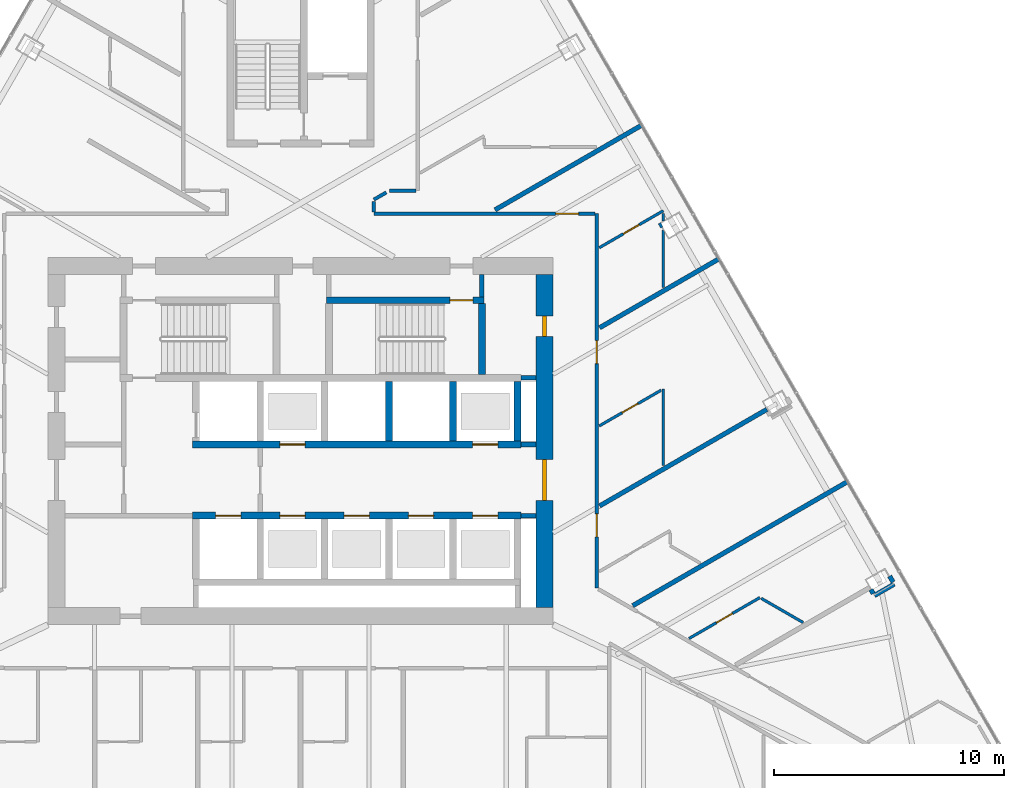
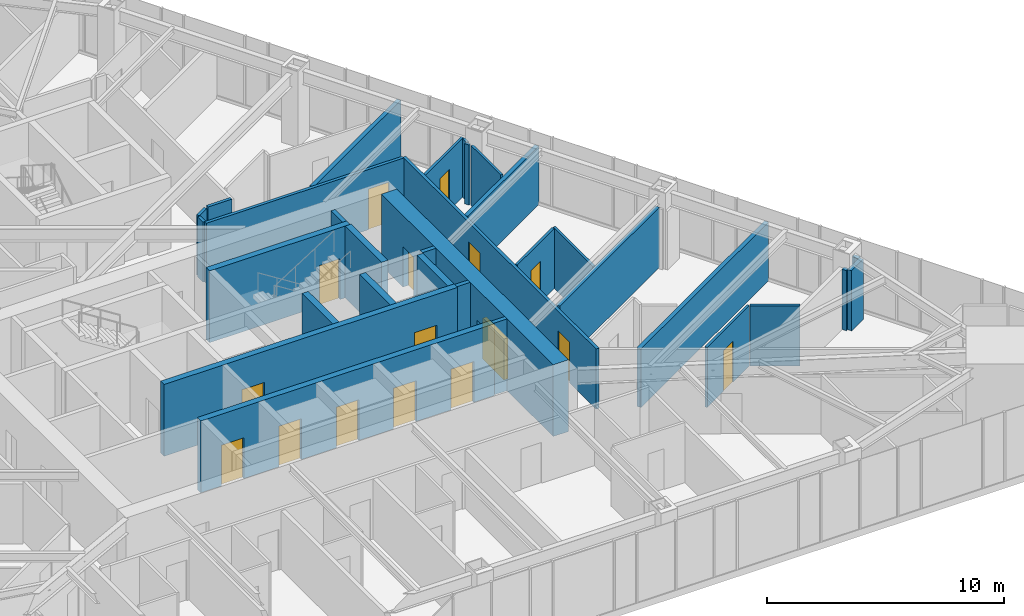
# One storey, part 22 of 26: 32 walls, 16 doors, 16 openings.
"""IFC4 building model written with IfcOpenShell, lengths in metres."""

from ifc_helpers import new_model, si_unit, direction, frame, frame_2d, origin, place, context, subcontext, project, spatial, rectangle, extrude, material, layer, layer_set, type_object, element, fill, save


model = new_model("IFC4")

# Units and contexts
model_context = context("Model", 3, precision=1e-05, world=origin(), true_north=direction((0.0, 1.0)))
body_context = subcontext(model_context, "Body", "Model", "MODEL_VIEW")
ifc_project = project(units=[si_unit("LENGTHUNIT", "METRE"), si_unit("AREAUNIT", "SQUARE_METRE"), si_unit("VOLUMEUNIT", "CUBIC_METRE"), si_unit("PLANEANGLEUNIT", "RADIAN"), si_unit("MASSUNIT", "GRAM", prefix="KILO")], contexts=[model_context])

# Site, building, storey
site_placement = place(None, origin())
site = spatial("IfcSite", under=ifc_project, at=site_placement, CompositionType="ELEMENT")
building_placement = place(site_placement, origin())
building = spatial("IfcBuilding", under=site, at=building_placement, Name="Firuza Gate Tower and Library", CompositionType="ELEMENT")
storey_placement = place(building_placement, frame((0.0, 0.0, 175.300048828125)))
storey = spatial("IfcBuildingStorey", under=building, at=storey_placement, Name="L40", CompositionType="ELEMENT", Elevation=175.300048828125)

# Walls
ifc_material_1 = material(Name="Plasterboard on steel studs", Category="steel")
ifc_layer_1 = layer(ifc_material_1, 0.199951171875)
ifc_layer_set_1 = layer_set([ifc_layer_1], Name="Core partition 200 EI 120")
wall_type_1 = type_object("IfcWallType", Name="Core partition 200 EI 120", PredefinedType="PARTITIONING", material=ifc_layer_set_1)
for number, where, z_axis, x_axis, name in (
    (1, (84.60009765625, 71.75, 0.0), (0.0, 0.0, 1.0), (1.0, 0.0, 0.0), "Core partition L40 2"),
    (2, (84.60009765625, 74.85009765625, 0.0), (0.0, 0.0, 1.0), (1.0, 0.0, 0.0), "Core partition L40 4"),
    (3, (84.60009765625, 77.75, 0.0), (0.0, 0.0, 1.0), (1.0, 0.0, 0.0), "Core partition L40 5"),
):
    element("IfcWall", number, at=place(storey_placement, frame(where, z_axis=z_axis, x_axis=x_axis)), inside=storey, type_object=wall_type_1, Name=name, PredefinedType="PARTITIONING", context=body_context, shape_type="SweptSolid", body=[
        extrude(rectangle(XDim=0.64990234375, YDim=0.199951171875, at=frame_2d((0.324951171875, 0.0))), origin(), (0.0, 0.0, 1.0), 3.699951171875),
    ])
ifc_material_2 = material(Name="Plasterboard on steel studs", Category="steel")
ifc_layer_2 = layer(ifc_material_2, 0.199951171875)
ifc_layer_set_2 = layer_set([ifc_layer_2], Name="Core partition 200 EI 60")
wall_type_2 = type_object("IfcWallType", Name="Core partition 200 EI 60", PredefinedType="PARTITIONING", material=ifc_layer_set_2)
wall_1_placement = place(storey_placement, frame((82.89990234375, 81.280029296875, 0.0), z_axis=(0.0, 0.0, 1.0), x_axis=(0.0, 1.0, 0.0)))
element("IfcWall", 4, at=wall_1_placement, inside=storey, type_object=wall_type_2, Name="Core partition L40 13", PredefinedType="PARTITIONING", context=body_context, shape_type="SweptSolid", body=[
    extrude(rectangle(XDim=0.969970703125, YDim=0.199951171875, at=frame_2d((0.48486328125, 0.0))), origin(), (0.0, 0.0, 1.0), 3.699951171875),
])

# Wall, openings, doors
ifc_material_3 = material(Name="Concrete C80/95", Category="concrete")
ifc_layer_3 = layer(ifc_material_3, 0.300048828125)
ifc_layer_set_3 = layer_set([ifc_layer_3], Name="Core wall 300 C80/95")
wall_type_3 = type_object("IfcWallType", Name="Core wall 300 C80/95", PredefinedType="SHEAR", material=ifc_layer_set_3)
wall_2_placement = place(storey_placement, frame((70.300048828125, 71.75, 0.0), z_axis=(0.0, 0.0, 1.0), x_axis=(1.0, 0.0, 0.0)))
wall_2 = element("IfcWall", 5, at=wall_2_placement, inside=storey, type_object=wall_type_3, Name="Core wall L40 6", PredefinedType="SHEAR", context=body_context, shape_type="SweptSolid", body=[
    extrude(rectangle(XDim=14.300048828125, YDim=0.300048828125, at=frame_2d((7.14990234375, 0.0))), origin(), (0.0, 0.0, 1.0), 3.699951171875),
])
opening_1_placement = place(wall_2_placement, frame((1.0, 0.0, 0.0)))
opening_1 = element("IfcOpeningElement", 6, at=opening_1_placement, cuts=wall_2, Name="Opening LD-FF1-L40", PredefinedType="OPENING", context=body_context, shape_type="SweptSolid", body=[
    extrude(rectangle(XDim=1.10009765625, YDim=2.10009765625, at=frame_2d((0.550048828125, 1.050048828125))), frame((0.0, 0.16015625, 0.0), z_axis=(0.0, -1.0, 0.0), x_axis=(1.0, 0.0, 0.0)), (0.0, 0.0, 1.0), 0.320068359375),
])
opening_2_placement = place(wall_2_placement, frame((3.800048828125, 0.0, 0.0)))
opening_2 = element("IfcOpeningElement", 7, at=opening_2_placement, cuts=wall_2, Name="Opening LD-MR1-L40", PredefinedType="OPENING", context=body_context, shape_type="SweptSolid", body=[
    extrude(rectangle(XDim=1.10009765625, YDim=2.10009765625, at=frame_2d((0.550048828125, 1.050048828125))), frame((0.0, 0.16015625, 0.0), z_axis=(0.0, -1.0, 0.0), x_axis=(1.0, 0.0, 0.0)), (0.0, 0.0, 1.0), 0.320068359375),
])
opening_3_placement = place(wall_2_placement, frame((6.60009765625, 0.0, 0.0)))
opening_3 = element("IfcOpeningElement", 8, at=opening_3_placement, cuts=wall_2, Name="Opening LD-MR2-L40", PredefinedType="OPENING", context=body_context, shape_type="SweptSolid", body=[
    extrude(rectangle(XDim=1.10009765625, YDim=2.10009765625, at=frame_2d((0.550048828125, 1.050048828125))), frame((0.0, 0.16015625, 0.0), z_axis=(0.0, -1.0, 0.0), x_axis=(1.0, 0.0, 0.0)), (0.0, 0.0, 1.0), 0.320068359375),
])
opening_4_placement = place(wall_2_placement, frame((9.39990234375, 0.0, 0.0)))
opening_4 = element("IfcOpeningElement", 9, at=opening_4_placement, cuts=wall_2, Name="Opening LD-MR3-L40", PredefinedType="OPENING", context=body_context, shape_type="SweptSolid", body=[
    extrude(rectangle(XDim=1.10009765625, YDim=2.10009765625, at=frame_2d((0.550048828125, 1.050048828125))), frame((0.0, 0.16015625, 0.0), z_axis=(0.0, -1.0, 0.0), x_axis=(1.0, 0.0, 0.0)), (0.0, 0.0, 1.0), 0.320068359375),
])
opening_5_placement = place(wall_2_placement, frame((12.199951171875, 0.0, 0.0)))
opening_5 = element("IfcOpeningElement", 10, at=opening_5_placement, cuts=wall_2, Name="Opening LD-MR5-L40", PredefinedType="OPENING", context=body_context, shape_type="SweptSolid", body=[
    extrude(rectangle(XDim=1.10009765625, YDim=2.10009765625, at=frame_2d((0.550048828125, 1.050048828125))), frame((0.0, 0.16015625, 0.0), z_axis=(0.0, -1.0, 0.0), x_axis=(1.0, 0.0, 0.0)), (0.0, 0.0, 1.0), 0.320068359375),
])
ifc_material_4 = material(Name="Stainless steel", Category="steel")
door_type_1 = type_object("IfcDoorType", Name="Lift landing door 1100x2100", OperationType="DOUBLE_DOOR_SLIDING", PredefinedType="DOOR", material=ifc_material_4)
door_1_placement = place(opening_1_placement, origin())
door_1 = element("IfcDoor", 11, at=door_1_placement, inside=storey, type_object=door_type_1, Name="Landing door FF1 L40", OperationType="DOUBLE_DOOR_SLIDING", OverallHeight=2.10009765625, OverallWidth=1.10009765625, PredefinedType="DOOR", context=body_context, shape_type="SweptSolid", body=[
    extrude(rectangle(XDim=1.10009765625, YDim=2.10009765625, at=frame_2d((0.550048828125, 1.050048828125))), frame((0.0, 0.02490234375, 0.0), z_axis=(0.0, -1.0, 0.0), x_axis=(1.0, 0.0, 0.0)), (0.0, 0.0, 1.0), 0.050048828125),
])
fill(opening_1, door_1)
door_2_placement = place(opening_2_placement, origin())
door_2 = element("IfcDoor", 12, at=door_2_placement, inside=storey, type_object=door_type_1, Name="Landing door MR1 L40", OperationType="DOUBLE_DOOR_SLIDING", OverallHeight=2.10009765625, OverallWidth=1.10009765625, PredefinedType="DOOR", context=body_context, shape_type="SweptSolid", body=[
    extrude(rectangle(XDim=1.10009765625, YDim=2.10009765625, at=frame_2d((0.550048828125, 1.050048828125))), frame((0.0, 0.02490234375, 0.0), z_axis=(0.0, -1.0, 0.0), x_axis=(1.0, 0.0, 0.0)), (0.0, 0.0, 1.0), 0.050048828125),
])
fill(opening_2, door_2)
door_3_placement = place(opening_3_placement, origin())
door_3 = element("IfcDoor", 13, at=door_3_placement, inside=storey, type_object=door_type_1, Name="Landing door MR2 L40", OperationType="DOUBLE_DOOR_SLIDING", OverallHeight=2.10009765625, OverallWidth=1.10009765625, PredefinedType="DOOR", context=body_context, shape_type="SweptSolid", body=[
    extrude(rectangle(XDim=1.10009765625, YDim=2.10009765625, at=frame_2d((0.550048828125, 1.050048828125))), frame((0.0, 0.02490234375, 0.0), z_axis=(0.0, -1.0, 0.0), x_axis=(1.0, 0.0, 0.0)), (0.0, 0.0, 1.0), 0.050048828125),
])
fill(opening_3, door_3)
door_4_placement = place(opening_4_placement, origin())
door_4 = element("IfcDoor", 14, at=door_4_placement, inside=storey, type_object=door_type_1, Name="Landing door MR3 L40", OperationType="DOUBLE_DOOR_SLIDING", OverallHeight=2.10009765625, OverallWidth=1.10009765625, PredefinedType="DOOR", context=body_context, shape_type="SweptSolid", body=[
    extrude(rectangle(XDim=1.10009765625, YDim=2.10009765625, at=frame_2d((0.550048828125, 1.050048828125))), frame((0.0, 0.02490234375, 0.0), z_axis=(0.0, -1.0, 0.0), x_axis=(1.0, 0.0, 0.0)), (0.0, 0.0, 1.0), 0.050048828125),
])
fill(opening_4, door_4)
door_5_placement = place(opening_5_placement, origin())
door_5 = element("IfcDoor", 15, at=door_5_placement, inside=storey, type_object=door_type_1, Name="Landing door MR5 L40", OperationType="DOUBLE_DOOR_SLIDING", OverallHeight=2.10009765625, OverallWidth=1.10009765625, PredefinedType="DOOR", context=body_context, shape_type="SweptSolid", body=[
    extrude(rectangle(XDim=1.10009765625, YDim=2.10009765625, at=frame_2d((0.550048828125, 1.050048828125))), frame((0.0, 0.02490234375, 0.0), z_axis=(0.0, -1.0, 0.0), x_axis=(1.0, 0.0, 0.0)), (0.0, 0.0, 1.0), 0.050048828125),
])
fill(opening_5, door_5)

wall_3_placement = place(storey_placement, frame((70.300048828125, 74.85009765625, 0.0), z_axis=(0.0, 0.0, 1.0), x_axis=(1.0, 0.0, 0.0)))
wall_3 = element("IfcWall", 16, at=wall_3_placement, inside=storey, type_object=wall_type_3, Name="Core wall L40 7", PredefinedType="SHEAR", context=body_context, shape_type="SweptSolid", body=[
    extrude(rectangle(XDim=14.300048828125, YDim=0.300048828125, at=frame_2d((7.14990234375, 0.0))), origin(), (0.0, 0.0, 1.0), 3.699951171875),
])
opening_6_placement = place(wall_3_placement, frame((3.800048828125, 0.0, 0.0)))
opening_6 = element("IfcOpeningElement", 17, at=opening_6_placement, cuts=wall_3, Name="Opening LD-MR4-L40", PredefinedType="OPENING", context=body_context, shape_type="SweptSolid", body=[
    extrude(rectangle(XDim=1.10009765625, YDim=2.10009765625, at=frame_2d((0.550048828125, 1.050048828125))), frame((0.0, 0.16015625, 0.0), z_axis=(0.0, -1.0, 0.0), x_axis=(1.0, 0.0, 0.0)), (0.0, 0.0, 1.0), 0.320068359375),
])
opening_7_placement = place(wall_3_placement, frame((12.199951171875, 0.0, 0.0)))
opening_7 = element("IfcOpeningElement", 18, at=opening_7_placement, cuts=wall_3, Name="Opening LD-MR6-L40", PredefinedType="OPENING", context=body_context, shape_type="SweptSolid", body=[
    extrude(rectangle(XDim=1.10009765625, YDim=2.10009765625, at=frame_2d((0.550048828125, 1.050048828125))), frame((0.0, 0.16015625, 0.0), z_axis=(0.0, -1.0, 0.0), x_axis=(1.0, 0.0, 0.0)), (0.0, 0.0, 1.0), 0.320068359375),
])
door_6_placement = place(opening_6_placement, origin())
door_6 = element("IfcDoor", 19, at=door_6_placement, inside=storey, type_object=door_type_1, Name="Landing door MR4 L40", OperationType="DOUBLE_DOOR_SLIDING", OverallHeight=2.10009765625, OverallWidth=1.10009765625, PredefinedType="DOOR", context=body_context, shape_type="SweptSolid", body=[
    extrude(rectangle(XDim=1.10009765625, YDim=2.10009765625, at=frame_2d((0.550048828125, 1.050048828125))), frame((0.0, 0.02490234375, 0.0), z_axis=(0.0, -1.0, 0.0), x_axis=(1.0, 0.0, 0.0)), (0.0, 0.0, 1.0), 0.050048828125),
])
fill(opening_6, door_6)
door_7_placement = place(opening_7_placement, origin())
door_7 = element("IfcDoor", 20, at=door_7_placement, inside=storey, type_object=door_type_1, Name="Landing door MR6 L40", OperationType="DOUBLE_DOOR_SLIDING", OverallHeight=2.10009765625, OverallWidth=1.10009765625, PredefinedType="DOOR", context=body_context, shape_type="SweptSolid", body=[
    extrude(rectangle(XDim=1.10009765625, YDim=2.10009765625, at=frame_2d((0.550048828125, 1.050048828125))), frame((0.0, 0.02490234375, 0.0), z_axis=(0.0, -1.0, 0.0), x_axis=(1.0, 0.0, 0.0)), (0.0, 0.0, 1.0), 0.050048828125),
])
fill(opening_7, door_7)

# Walls
for number, where, z_axis, x_axis, name in (
    (21, (78.85009765625, 75.0, 0.0), (0.0, 0.0, 1.0), (0.0, 1.0, 0.0), "Core wall L40 15"),
    (22, (81.64990234375, 75.0, 0.0), (0.0, 0.0, 1.0), (0.0, 1.0, 0.0), "Core wall L40 17"),
    (23, (84.449951171875, 75.0, 0.0), (0.0, 0.0, 1.0), (0.0, 1.0, 0.0), "Core wall L40 19"),
):
    element("IfcWall", number, at=place(storey_placement, frame(where, z_axis=z_axis, x_axis=x_axis)), inside=storey, type_object=wall_type_3, Name=name, PredefinedType="SHEAR", context=body_context, shape_type="SweptSolid", body=[
        extrude(rectangle(XDim=2.60009765625, YDim=0.300048828125, at=frame_2d((1.300048828125, 0.0))), origin(), (0.0, 0.0, 1.0), 3.699951171875),
    ])

# Wall, opening, door
wall_4_placement = place(storey_placement, frame((76.139892578125, 81.1298828125, 0.0), z_axis=(0.0, 0.0, 1.0), x_axis=(1.0, 0.0, 0.0)))
wall_4 = element("IfcWall", 24, at=wall_4_placement, inside=storey, type_object=wall_type_3, Name="Core wall L40 22", PredefinedType="SHEAR", context=body_context, shape_type="SweptSolid", body=[
    extrude(rectangle(XDim=6.860107421875, YDim=0.300048828125, at=frame_2d((3.43017578125, 0.0))), origin(), (0.0, 0.0, 1.0), 3.699951171875),
])
opening_8_placement = place(wall_4_placement, frame((5.364990234375, 0.0, 0.0)))
opening_8 = element("IfcOpeningElement", 25, at=opening_8_placement, cuts=wall_4, Name="Opening L40-K13", PredefinedType="OPENING", context=body_context, shape_type="SweptSolid", body=[
    extrude(rectangle(XDim=1.0, YDim=2.10009765625, at=frame_2d((0.5, 1.050048828125))), frame((0.0, 0.16015625, 0.0), z_axis=(0.0, -1.0, 0.0), x_axis=(1.0, 0.0, 0.0)), (0.0, 0.0, 1.0), 0.320068359375),
])
ifc_material_5 = material(Name="Steel", Category="steel")
door_type_2 = type_object("IfcDoorType", Name="Fire door 1000x2100 FD90", OperationType="NOTDEFINED", PredefinedType="DOOR", material=ifc_material_5)
door_8_placement = place(opening_8_placement, origin())
door_8 = element("IfcDoor", 26, at=door_8_placement, inside=storey, type_object=door_type_2, Name="Door L40-K13", OperationType="SINGLE_SWING_RIGHT", OverallHeight=2.10009765625, OverallWidth=1.0, PredefinedType="DOOR", context=body_context, shape_type="SweptSolid", body=[
    extrude(rectangle(XDim=1.0, YDim=2.10009765625, at=frame_2d((0.5, 1.050048828125))), frame((0.0, 0.02490234375, 0.0), z_axis=(0.0, -1.0, 0.0), x_axis=(1.0, 0.0, 0.0)), (0.0, 0.0, 1.0), 0.050048828125),
])
fill(opening_8, door_8)

# Wall
wall_5_placement = place(storey_placement, frame((82.89990234375, 77.89990234375, 0.0), z_axis=(0.0, 0.0, 1.0), x_axis=(0.0, 1.0, 0.0)))
element("IfcWall", 27, at=wall_5_placement, inside=storey, type_object=wall_type_3, Name="Core wall L40 26", PredefinedType="SHEAR", context=body_context, shape_type="SweptSolid", body=[
    extrude(rectangle(XDim=3.080078125, YDim=0.300048828125, at=frame_2d((1.5400390625, 0.0))), origin(), (0.0, 0.0, 1.0), 3.699951171875),
])

# Wall, openings, doors
ifc_material_6 = material(Name="Concrete C80/95", Category="concrete")
ifc_layer_4 = layer(ifc_material_6, 0.75)
ifc_layer_set_4 = layer_set([ifc_layer_4], Name="Core wall 750 C80/95")
wall_type_4 = type_object("IfcWallType", Name="Core wall 750 C80/95", PredefinedType="SHEAR", material=ifc_layer_set_4)
wall_6_placement = place(storey_placement, frame((85.625, 67.75, 0.0), z_axis=(0.0, 0.0, 1.0), x_axis=(0.0, 1.0, 0.0)))
wall_6 = element("IfcWall", 28, at=wall_6_placement, inside=storey, type_object=wall_type_4, Name="Core wall L40 4", PredefinedType="SHEAR", context=body_context, shape_type="SweptSolid", body=[
    extrude(rectangle(XDim=14.5, YDim=0.75, at=frame_2d((7.25, 0.0))), origin(), (0.0, 0.0, 1.0), 3.699951171875),
])
opening_9_placement = place(wall_6_placement, frame((4.64990234375, 0.0, 0.0)))
opening_9 = element("IfcOpeningElement", 29, at=opening_9_placement, cuts=wall_6, Name="Opening L40-K21", PredefinedType="OPENING", context=body_context, shape_type="SweptSolid", body=[
    extrude(rectangle(XDim=1.800048828125, YDim=2.10009765625, at=frame_2d((0.89990234375, 1.050048828125))), frame((0.0, 0.385009765625, 0.0), z_axis=(0.0, -1.0, 0.0), x_axis=(1.0, 0.0, 0.0)), (0.0, 0.0, 1.0), 0.77001953125),
])
opening_10_placement = place(wall_6_placement, frame((11.800048828125, 0.0, 0.0)))
opening_10 = element("IfcOpeningElement", 30, at=opening_10_placement, cuts=wall_6, Name="Opening L40-K26", PredefinedType="OPENING", context=body_context, shape_type="SweptSolid", body=[
    extrude(rectangle(XDim=0.89990234375, YDim=2.10009765625, at=frame_2d((0.449951171875, 1.050048828125))), frame((0.0, 0.385009765625, 0.0), z_axis=(0.0, -1.0, 0.0), x_axis=(1.0, 0.0, 0.0)), (0.0, 0.0, 1.0), 0.77001953125),
])
ifc_material_7 = material(Name="Steel", Category="steel")
door_type_3 = type_object("IfcDoorType", Name="Fire door 1800x2100 FD30S", OperationType="NOTDEFINED", PredefinedType="DOOR", material=ifc_material_7)
door_9_placement = place(opening_9_placement, origin())
door_9 = element("IfcDoor", 31, at=door_9_placement, inside=storey, type_object=door_type_3, Name="Door L40-K21", OperationType="SINGLE_SWING_RIGHT", OverallHeight=2.10009765625, OverallWidth=1.800048828125, PredefinedType="DOOR", context=body_context, shape_type="SweptSolid", body=[
    extrude(rectangle(XDim=1.800048828125, YDim=2.10009765625, at=frame_2d((0.89990234375, 1.050048828125))), frame((0.0, 0.094970703125, 0.0), z_axis=(0.0, -1.0, 0.0), x_axis=(1.0, 0.0, 0.0)), (0.0, 0.0, 1.0), 0.18994140625),
])
fill(opening_9, door_9)
ifc_material_8 = material(Name="Steel", Category="steel")
door_type_4 = type_object("IfcDoorType", Name="Fire door 900x2100 FD30S", OperationType="NOTDEFINED", PredefinedType="DOOR", material=ifc_material_8)
door_10_placement = place(opening_10_placement, origin())
door_10 = element("IfcDoor", 32, at=door_10_placement, inside=storey, type_object=door_type_4, Name="Door L40-K26", OperationType="SINGLE_SWING_LEFT", OverallHeight=2.10009765625, OverallWidth=0.89990234375, PredefinedType="DOOR", context=body_context, shape_type="SweptSolid", body=[
    extrude(rectangle(XDim=0.89990234375, YDim=2.10009765625, at=frame_2d((0.449951171875, 1.050048828125))), frame((0.0, 0.094970703125, 0.0), z_axis=(0.0, -1.0, 0.0), x_axis=(1.0, 0.0, 0.0)), (0.0, 0.0, 1.0), 0.18994140625),
])
fill(opening_10, door_10)

# Wall, opening, door
ifc_material_9 = material(Name="Gypsum board partition")
ifc_layer_5 = layer(ifc_material_9, 0.14990234375)
ifc_layer_set_5 = layer_set([ifc_layer_5], Name="Corridor wall 150 double board on steel studs")
wall_type_5 = type_object("IfcWallType", Name="Corridor wall 150 double board on steel studs", PredefinedType="PARTITIONING", material=ifc_layer_set_5)
wall_7_placement = place(storey_placement, frame((78.199951171875, 84.89990234375, 0.0), z_axis=(0.0, 0.0, 1.0), x_axis=(1.0, 0.0, 0.0)))
wall_7 = element("IfcWall", 33, at=wall_7_placement, inside=storey, type_object=wall_type_5, Name="f:L40:w012", PredefinedType="PARTITIONING", context=body_context, shape_type="SweptSolid", body=[
    extrude(rectangle(XDim=9.62451171875, YDim=0.14990234375, at=frame_2d((4.812255859375, 0.0))), origin(), (0.0, 0.0, 1.0), 3.099853515625),
])
opening_11_placement = place(wall_7_placement, frame((7.908203125, 0.0, 0.0)))
opening_11 = element("IfcOpeningElement", 34, at=opening_11_placement, cuts=wall_7, Name="Opening L40-11", PredefinedType="OPENING", context=body_context, shape_type="SweptSolid", body=[
    extrude(rectangle(XDim=1.0, YDim=2.10009765625, at=frame_2d((0.5, 1.050048828125))), frame((0.0, 0.0849609375, 0.0), z_axis=(0.0, -1.0, 0.0), x_axis=(1.0, 0.0, 0.0)), (0.0, 0.0, 1.0), 0.169921875),
])
ifc_material_10 = material(Name="Steel door and timber leaf", Category="steel")
door_type_5 = type_object("IfcDoorType", Name="Fire door 1000 x 2100 steel frame, timber leaf", OperationType="NOTDEFINED", PredefinedType="DOOR", material=ifc_material_10)
door_11_placement = place(opening_11_placement, origin())
door_11 = element("IfcDoor", 35, at=door_11_placement, inside=storey, type_object=door_type_5, Name="f:L40:d011", OperationType="SINGLE_SWING_LEFT", OverallHeight=2.10009765625, OverallWidth=1.0, PredefinedType="DOOR", context=body_context, shape_type="SweptSolid", body=[
    extrude(rectangle(XDim=1.0, YDim=2.10009765625, at=frame_2d((0.5, 1.050048828125))), frame((0.0, 0.02490234375, 0.0), z_axis=(0.0, -1.0, 0.0), x_axis=(1.0, 0.0, 0.0)), (0.0, 0.0, 1.0), 0.050048828125),
])
fill(opening_11, door_11)

# Walls
wall_8_placement = place(storey_placement, frame((78.8681640625, 85.89990234375, 0.0), z_axis=(0.0, 0.0, 1.0), x_axis=(1.0, 0.0, 0.0)))
element("IfcWall", 36, at=wall_8_placement, inside=storey, type_object=wall_type_5, Name="f:L40:w014", PredefinedType="PARTITIONING", context=body_context, shape_type="SweptSolid", body=[
    extrude(rectangle(XDim=1.15673828125, YDim=0.14990234375, at=frame_2d((0.578369140625, 0.0))), origin(), (0.0, 0.0, 1.0), 3.099853515625),
])
wall_9_placement = place(storey_placement, frame((78.19970703125, 85.5146484375, 0.0), z_axis=(0.0, 0.0, 1.0), x_axis=(0.866035156036, 0.499983108224, 0.0)))
element("IfcWall", 37, at=wall_9_placement, inside=storey, type_object=wall_type_5, Name="f:L40:w039", PredefinedType="PARTITIONING", context=body_context, shape_type="SweptSolid", body=[
    extrude(rectangle(XDim=0.62158203125, YDim=0.14990234375, at=frame_2d((0.310791015625, 0.0))), origin(), (0.0, 0.0, 1.0), 3.099853515625),
])

# Wall, openings, doors
wall_10_placement = place(storey_placement, frame((87.89990234375, 84.8994140625, 0.0), z_axis=(0.0, 0.0, 1.0), x_axis=(0.0, -1.0, 0.0)))
wall_10 = element("IfcWall", 38, at=wall_10_placement, inside=storey, type_object=wall_type_5, Name="f:L40:w054", PredefinedType="PARTITIONING", context=body_context, shape_type="SweptSolid", body=[
    extrude(rectangle(XDim=16.30810546875, YDim=0.14990234375, at=frame_2d((8.154052734375, 0.0))), origin(), (0.0, 0.0, 1.0), 3.099853515625),
])
opening_12_placement = place(wall_10_placement, frame((5.526611328125, 0.0, 0.0)))
opening_12 = element("IfcOpeningElement", 39, at=opening_12_placement, cuts=wall_10, Name="Opening L40-31", PredefinedType="OPENING", context=body_context, shape_type="SweptSolid", body=[
    extrude(rectangle(XDim=1.0, YDim=2.10009765625, at=frame_2d((0.5, 1.050048828125))), frame((0.0, 0.0849609375, 0.0), z_axis=(0.0, -1.0, 0.0), x_axis=(1.0, 0.0, 0.0)), (0.0, 0.0, 1.0), 0.169921875),
])
opening_13_placement = place(wall_10_placement, frame((13.074462890625, 0.0, 0.0)))
opening_13 = element("IfcOpeningElement", 40, at=opening_13_placement, cuts=wall_10, Name="Opening L40-32", PredefinedType="OPENING", context=body_context, shape_type="SweptSolid", body=[
    extrude(rectangle(XDim=1.0, YDim=2.10009765625, at=frame_2d((0.5, 1.050048828125))), frame((0.0, 0.0849609375, 0.0), z_axis=(0.0, -1.0, 0.0), x_axis=(1.0, 0.0, 0.0)), (0.0, 0.0, 1.0), 0.169921875),
])
door_12_placement = place(opening_12_placement, origin())
door_12 = element("IfcDoor", 41, at=door_12_placement, inside=storey, type_object=door_type_5, Name="f:L40:d031", OperationType="SINGLE_SWING_RIGHT", OverallHeight=2.10009765625, OverallWidth=1.0, PredefinedType="DOOR", context=body_context, shape_type="SweptSolid", body=[
    extrude(rectangle(XDim=1.0, YDim=2.10009765625, at=frame_2d((0.5, 1.050048828125))), frame((0.0, 0.02490234375, 0.0), z_axis=(0.0, -1.0, 0.0), x_axis=(1.0, 0.0, 0.0)), (0.0, 0.0, 1.0), 0.050048828125),
])
fill(opening_12, door_12)
door_13_placement = place(opening_13_placement, origin())
door_13 = element("IfcDoor", 42, at=door_13_placement, inside=storey, type_object=door_type_5, Name="f:L40:d032", OperationType="SINGLE_SWING_RIGHT", OverallHeight=2.10009765625, OverallWidth=1.0, PredefinedType="DOOR", context=body_context, shape_type="SweptSolid", body=[
    extrude(rectangle(XDim=1.0, YDim=2.10009765625, at=frame_2d((0.5, 1.050048828125))), frame((0.0, 0.02490234375, 0.0), z_axis=(0.0, -1.0, 0.0), x_axis=(1.0, 0.0, 0.0)), (0.0, 0.0, 1.0), 0.050048828125),
])
fill(opening_13, door_13)

# Walls
wall_11_placement = place(storey_placement, frame((78.199951171875, 84.97509765625, 0.0), z_axis=(0.0, 0.0, 1.0), x_axis=(0.0, 1.0, 0.0)))
element("IfcWall", 43, at=wall_11_placement, inside=storey, type_object=wall_type_5, Name="f:L40:w062", PredefinedType="PARTITIONING", context=body_context, shape_type="SweptSolid", body=[
    extrude(rectangle(XDim=0.45263671875, YDim=0.14990234375, at=frame_2d((0.226318359375, 0.0))), origin(), (0.0, 0.0, 1.0), 3.099853515625),
])
ifc_material_11 = material(Name="Gypsum board partition")
ifc_layer_6 = layer(ifc_material_11, 0.199951171875)
ifc_layer_set_6 = layer_set([ifc_layer_6], Name="Demising wall 200 acoustic double stud")
wall_type_6 = type_object("IfcWallType", Name="Demising wall 200 acoustic double stud", PredefinedType="PARTITIONING", material=ifc_layer_set_6)
wall_12_placement = place(storey_placement, frame((99.992919921875, 68.27099609375, 0.0), z_axis=(0.0, 0.0, 1.0), x_axis=(0.86597798544, 0.50008212199, 0.0)))
element("IfcWall", 44, at=wall_12_placement, inside=storey, type_object=wall_type_6, Name="f:L40:w022", PredefinedType="PARTITIONING", context=body_context, shape_type="SweptSolid", body=[
    extrude(rectangle(XDim=0.998779296875, YDim=0.199951171875, at=frame_2d((0.49951171875, 0.0))), origin(), (0.0, 0.0, 1.0), 3.099853515625),
])
wall_13_placement = place(storey_placement, frame((89.469970703125, 67.83154296875, 0.0), z_axis=(0.0, 0.0, 1.0), x_axis=(0.866022468619, 0.50000508382, 0.0)))
element("IfcWall", 45, at=wall_13_placement, inside=storey, type_object=wall_type_6, Name="f:L40:w025", PredefinedType="PARTITIONING", context=body_context, shape_type="SweptSolid", body=[
    extrude(rectangle(XDim=10.79248046875, YDim=0.199951171875, at=frame_2d((5.396240234375, 0.0))), origin(), (0.0, 0.0, 1.0), 3.02197265625),
])
wall_14_placement = place(storey_placement, frame((88.02685546875, 72.1728515625, 0.0), z_axis=(0.0, 0.0, 1.0), x_axis=(0.866035743139, 0.499982091285, 0.0)))
element("IfcWall", 46, at=wall_14_placement, inside=storey, type_object=wall_type_6, Name="f:L40:w028", PredefinedType="PARTITIONING", context=body_context, shape_type="SweptSolid", body=[
    extrude(rectangle(XDim=8.410888671875, YDim=0.199951171875, at=frame_2d((4.20556640625, 0.0))), origin(), (0.0, 0.0, 1.0), 3.099853515625),
])
wall_15_placement = place(storey_placement, frame((88.027099609375, 79.93359375, 0.0), z_axis=(0.0, 0.0, 1.0), x_axis=(0.866030178321, 0.499991730169, 0.0)))
element("IfcWall", 47, at=wall_15_placement, inside=storey, type_object=wall_type_6, Name="f:L40:w032", PredefinedType="PARTITIONING", context=body_context, shape_type="SweptSolid", body=[
    extrude(rectangle(XDim=5.99072265625, YDim=0.199951171875, at=frame_2d((2.995361328125, 0.0))), origin(), (0.0, 0.0, 1.0), 3.02197265625),
])
wall_16_placement = place(storey_placement, frame((83.47119140625, 85.065185546875, 0.0), z_axis=(0.0, 0.0, 1.0), x_axis=(0.866022862013, 0.500004402451, 0.0)))
element("IfcWall", 48, at=wall_16_placement, inside=storey, type_object=wall_type_6, Name="f:L40:w038", PredefinedType="PARTITIONING", context=body_context, shape_type="SweptSolid", body=[
    extrude(rectangle(XDim=7.37060546875, YDim=0.199951171875, at=frame_2d((3.685302734375, 0.0))), origin(), (0.0, 0.0, 1.0), 3.02197265625),
])
wall_17_placement = place(storey_placement, frame((100.807861328125, 68.857666015625, 0.0), z_axis=(0.0, 0.0, 1.0), x_axis=(-0.49965177357, 0.866226359082, 0.0)))
element("IfcWall", 49, at=wall_17_placement, inside=storey, type_object=wall_type_6, Name="f:L40:w087", PredefinedType="PARTITIONING", context=body_context, shape_type="SweptSolid", body=[
    extrude(rectangle(XDim=0.299072265625, YDim=0.199951171875, at=frame_2d((0.1494140625, 0.0))), origin(), (0.0, 0.0, 1.0), 3.099853515625),
])
wall_18_placement = place(storey_placement, frame((99.94189453125, 68.357666015625, 0.0), z_axis=(0.0, 0.0, 1.0), x_axis=(-0.500359323436, 0.865817848887, 0.0)))
element("IfcWall", 50, at=wall_18_placement, inside=storey, type_object=wall_type_6, Name="f:L40:w089", PredefinedType="PARTITIONING", context=body_context, shape_type="SweptSolid", body=[
    extrude(rectangle(XDim=0.198974609375, YDim=0.199951171875, at=frame_2d((0.099609375, 0.0))), origin(), (0.0, 0.0, 1.0), 3.099853515625),
])

# Wall, opening, door
ifc_material_12 = material(Name="Gypsum board partition")
ifc_layer_7 = layer(ifc_material_12, 0.1201171875)
ifc_layer_set_7 = layer_set([ifc_layer_7], Name="Wet-area partition 120 moisture-resistant board")
wall_type_7 = type_object("IfcWallType", Name="Wet-area partition 120 moisture-resistant board", PredefinedType="PARTITIONING", material=ifc_layer_set_7)
wall_19_placement = place(storey_placement, frame((95.007568359375, 68.1826171875, 0.0), z_axis=(0.0, 0.0, 1.0), x_axis=(-0.866028357664, -0.499994883695, 0.0)))
wall_19 = element("IfcWall", 51, at=wall_19_placement, inside=storey, type_object=wall_type_7, Name="f:L40:w024", PredefinedType="PARTITIONING", context=body_context, shape_type="SweptSolid", body=[
    extrude(rectangle(XDim=3.568359375, YDim=0.1201171875, at=frame_2d((1.7841796875, 0.0))), origin(), (0.0, 0.0, 1.0), 3.099853515625),
])
opening_14_placement = place(wall_19_placement, frame((1.38427734375, 0.0, 0.0)))
opening_14 = element("IfcOpeningElement", 52, at=opening_14_placement, cuts=wall_19, Name="Opening L40-16", PredefinedType="OPENING", context=body_context, shape_type="SweptSolid", body=[
    extrude(rectangle(XDim=0.800048828125, YDim=2.10009765625, at=frame_2d((0.39990234375, 1.050048828125))), frame((0.0, 0.070068359375, 0.0), z_axis=(0.0, -1.0, 0.0), x_axis=(1.0, 0.0, 0.0)), (0.0, 0.0, 1.0), 0.14013671875),
])
ifc_material_13 = material(Name="Timber door", Category="wood")
door_type_6 = type_object("IfcDoorType", Name="Door 800 x 2100 timber leaf", OperationType="NOTDEFINED", PredefinedType="DOOR", material=ifc_material_13)
door_14_placement = place(opening_14_placement, origin())
door_14 = element("IfcDoor", 53, at=door_14_placement, inside=storey, type_object=door_type_6, Name="f:L40:d016", OperationType="SINGLE_SWING_LEFT", OverallHeight=2.10009765625, OverallWidth=0.800048828125, PredefinedType="DOOR", context=body_context, shape_type="SweptSolid", body=[
    extrude(rectangle(XDim=0.800048828125, YDim=2.10009765625, at=frame_2d((0.39990234375, 1.050048828125))), frame((0.0, 0.02490234375, 0.0), z_axis=(0.0, -1.0, 0.0), x_axis=(1.0, 0.0, 0.0)), (0.0, 0.0, 1.0), 0.050048828125),
])
fill(opening_14, door_14)

wall_20_placement = place(storey_placement, frame((90.705078125, 77.212158203125, 0.0), z_axis=(0.0, 0.0, 1.0), x_axis=(-0.866009247561, -0.500027982357, 0.0)))
wall_20 = element("IfcWall", 54, at=wall_20_placement, inside=storey, type_object=wall_type_7, Name="f:L40:w029", PredefinedType="PARTITIONING", context=body_context, shape_type="SweptSolid", body=[
    extrude(rectangle(XDim=3.112548828125, YDim=0.1201171875, at=frame_2d((1.55615234375, 0.0))), origin(), (0.0, 0.0, 1.0), 3.099853515625),
])
opening_15_placement = place(wall_20_placement, frame((1.156494140625, 0.0, 0.0)))
opening_15 = element("IfcOpeningElement", 55, at=opening_15_placement, cuts=wall_20, Name="Opening L40-18", PredefinedType="OPENING", context=body_context, shape_type="SweptSolid", body=[
    extrude(rectangle(XDim=0.800048828125, YDim=2.10009765625, at=frame_2d((0.39990234375, 1.050048828125))), frame((0.0, 0.070068359375, 0.0), z_axis=(0.0, -1.0, 0.0), x_axis=(1.0, 0.0, 0.0)), (0.0, 0.0, 1.0), 0.14013671875),
])
door_15_placement = place(opening_15_placement, origin())
door_15 = element("IfcDoor", 56, at=door_15_placement, inside=storey, type_object=door_type_6, Name="f:L40:d018", OperationType="SINGLE_SWING_LEFT", OverallHeight=2.10009765625, OverallWidth=0.800048828125, PredefinedType="DOOR", context=body_context, shape_type="SweptSolid", body=[
    extrude(rectangle(XDim=0.800048828125, YDim=2.10009765625, at=frame_2d((0.39990234375, 1.050048828125))), frame((0.0, 0.02490234375, 0.0), z_axis=(0.0, -1.0, 0.0), x_axis=(1.0, 0.0, 0.0)), (0.0, 0.0, 1.0), 0.050048828125),
])
fill(opening_15, door_15)

wall_21_placement = place(storey_placement, frame((90.800048828125, 85.027587890625, 0.0), z_axis=(0.0, 0.0, 1.0), x_axis=(-0.866010186656, -0.500026355914, 0.0)))
wall_21 = element("IfcWall", 57, at=wall_21_placement, inside=storey, type_object=wall_type_7, Name="f:L40:w034", PredefinedType="PARTITIONING", context=body_context, shape_type="SweptSolid", body=[
    extrude(rectangle(XDim=3.221923828125, YDim=0.1201171875, at=frame_2d((1.61083984375, 0.0))), origin(), (0.0, 0.0, 1.0), 3.02197265625),
])
opening_16_placement = place(wall_21_placement, frame((1.2109375, 0.0, 0.0)))
opening_16 = element("IfcOpeningElement", 58, at=opening_16_placement, cuts=wall_21, Name="Opening L40-23", PredefinedType="OPENING", context=body_context, shape_type="SweptSolid", body=[
    extrude(rectangle(XDim=0.800048828125, YDim=2.10009765625, at=frame_2d((0.39990234375, 1.050048828125))), frame((0.0, 0.070068359375, 0.0), z_axis=(0.0, -1.0, 0.0), x_axis=(1.0, 0.0, 0.0)), (0.0, 0.0, 1.0), 0.14013671875),
])
door_16_placement = place(opening_16_placement, origin())
door_16 = element("IfcDoor", 59, at=door_16_placement, inside=storey, type_object=door_type_6, Name="f:L40:d023", OperationType="SINGLE_SWING_LEFT", OverallHeight=2.10009765625, OverallWidth=0.800048828125, PredefinedType="DOOR", context=body_context, shape_type="SweptSolid", body=[
    extrude(rectangle(XDim=0.800048828125, YDim=2.10009765625, at=frame_2d((0.39990234375, 1.050048828125))), frame((0.0, 0.02490234375, 0.0), z_axis=(0.0, -1.0, 0.0), x_axis=(1.0, 0.0, 0.0)), (0.0, 0.0, 1.0), 0.050048828125),
])
fill(opening_16, door_16)

# Walls
wall_22_placement = place(storey_placement, frame((90.800048828125, 73.92919921875, 0.0), z_axis=(0.0, 0.0, 1.0), x_axis=(0.0, 1.0, 0.0)))
element("IfcWall", 60, at=wall_22_placement, inside=storey, type_object=wall_type_7, Name="f:L40:w050", PredefinedType="PARTITIONING", context=body_context, shape_type="SweptSolid", body=[
    extrude(rectangle(XDim=3.337158203125, YDim=0.1201171875, at=frame_2d((1.66845703125, 0.0))), origin(), (0.0, 0.0, 1.0), 3.099853515625),
])
wall_23_placement = place(storey_placement, frame((90.800048828125, 81.6904296875, 0.0), z_axis=(0.0, 0.0, 1.0), x_axis=(0.0, 1.0, 0.0)))
element("IfcWall", 61, at=wall_23_placement, inside=storey, type_object=wall_type_7, Name="f:L40:w051", PredefinedType="PARTITIONING", context=body_context, shape_type="SweptSolid", body=[
    extrude(rectangle(XDim=2.501953125, YDim=0.1201171875, at=frame_2d((1.2509765625, 0.0))), origin(), (0.0, 0.0, 1.0), 3.099853515625),
])
wall_24_placement = place(storey_placement, frame((90.800048828125, 84.583984375, 0.0), z_axis=(0.0, 0.0, 1.0), x_axis=(0.0, 1.0, 0.0)))
element("IfcWall", 62, at=wall_24_placement, inside=storey, type_object=wall_type_7, Name="f:L40:w052", PredefinedType="PARTITIONING", context=body_context, shape_type="SweptSolid", body=[
    extrude(rectangle(XDim=0.334228515625, YDim=0.1201171875, at=frame_2d((0.1669921875, 0.0))), origin(), (0.0, 0.0, 1.0), 3.02197265625),
])
wall_25_placement = place(storey_placement, frame((90.73974609375, 84.296142578125, 0.0), z_axis=(0.0, 0.0, 1.0), x_axis=(-0.500333292614, 0.865832891673, 0.0)))
element("IfcWall", 63, at=wall_25_placement, inside=storey, type_object=wall_type_7, Name="f:L40:w091", PredefinedType="PARTITIONING", context=body_context, shape_type="SweptSolid", body=[
    extrude(rectangle(XDim=0.218994140625, YDim=0.1201171875, at=frame_2d((0.109375, 0.0))), origin(), (0.0, 0.0, 1.0), 3.099853515625),
])
wall_26_placement = place(storey_placement, frame((96.88916015625, 67.0966796875, 0.0), z_axis=(0.0, 0.0, 1.0), x_axis=(-0.866034836963, 0.4999836609, 0.0)))
element("IfcWall", 64, at=wall_26_placement, inside=storey, type_object=wall_type_7, Name="f:L40:w101", PredefinedType="PARTITIONING", context=body_context, shape_type="SweptSolid", body=[
    extrude(rectangle(XDim=2.103515625, YDim=0.1201171875, at=frame_2d((1.0517578125, 0.0))), origin(), (0.0, 0.0, 1.0), 3.099853515625),
])

save(model, "model.ifc")
